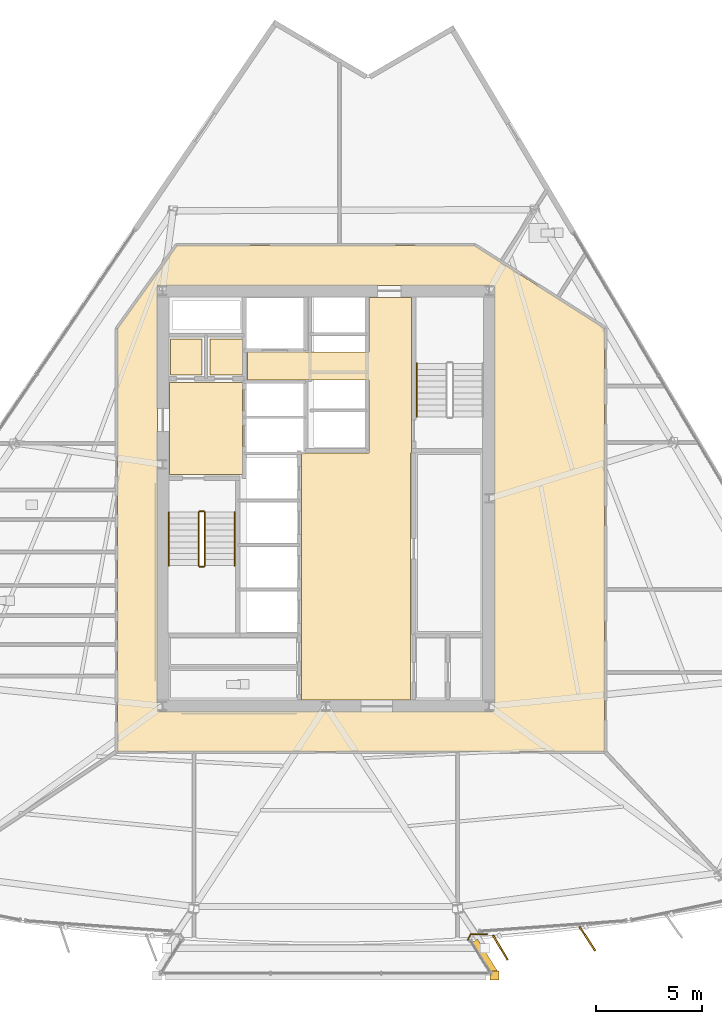
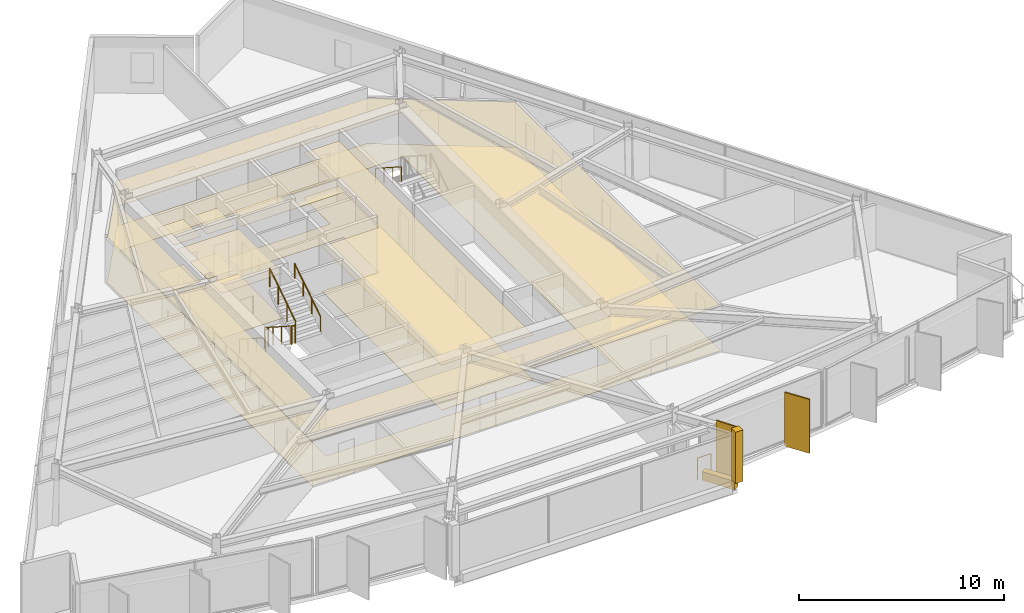
# One storey, part 12 of 15: 12 coverings, 8 railings, 2 shading devices.
"""IFC4 building model written with IfcOpenShell, lengths in metres."""

from ifc_helpers import new_model, si_unit, direction, frame, origin, origin_2d, place, context, subcontext, project, spatial, polyline, rectangle, circle, outline, extrude, material, layer, layer_set, type_object, element, save


model = new_model("IFC4")

# Units and contexts
model_context = context("Model", 3, precision=1e-05, world=origin(), true_north=direction((0.0, 1.0)))
body_context = subcontext(model_context, "Body", "Model", "MODEL_VIEW")
ifc_project = project(units=[si_unit("LENGTHUNIT", "METRE"), si_unit("AREAUNIT", "SQUARE_METRE"), si_unit("VOLUMEUNIT", "CUBIC_METRE"), si_unit("PLANEANGLEUNIT", "RADIAN"), si_unit("MASSUNIT", "GRAM", prefix="KILO")], contexts=[model_context])

# Site, building, storey
site_placement = place(None, origin())
site = spatial("IfcSite", under=ifc_project, at=site_placement, CompositionType="ELEMENT")
building_placement = place(site_placement, origin())
building = spatial("IfcBuilding", under=site, at=building_placement, Name="Savorim Split Tower", CompositionType="ELEMENT")
storey_placement = place(building_placement, frame((0.0, 0.0, 114.89990234375)))
storey = spatial("IfcBuildingStorey", under=building, at=storey_placement, Name="L30", CompositionType="ELEMENT", Elevation=114.89990234375)

# Coverings
ifc_material_1 = material(Name="Mineral Fibre Acoustic Ceiling")
ifc_layer_1 = layer(ifc_material_1, 0.02490234375)
ifc_layer_set_1 = layer_set([ifc_layer_1], Name="COV-CEIL-25")
covering_type_1 = type_object("IfcCoveringType", Name="COV-CEIL-25", PredefinedType="CEILING", material=ifc_layer_set_1)
covering_1_placement = place(storey_placement, frame((0.0, 0.0, 2.670166015625)))
element("IfcCovering", 1, at=covering_1_placement, inside=storey, type_object=covering_type_1, Name="L30 Firefighting Lift Lobby Acoustic Ceiling", PredefinedType="CEILING", context=body_context, shape_type="SweptSolid", body=[
    extrude(outline(polyline([(-7.3798828125, 5.8701171875), (-7.3798828125, 1.530029296875), (-3.929931640625, 1.530029296875), (-3.929931640625, 5.8701171875), (-7.3798828125, 5.8701171875)])), origin(), (0.0, 0.0, 1.0), 0.02490234375),
])
covering_2_placement = place(storey_placement, frame((0.0, 0.0, 2.670166015625)))
element("IfcCovering", 2, at=covering_2_placement, inside=storey, type_object=covering_type_1, Name="L30 Electrical Riser Acoustic Ceiling", PredefinedType="CEILING", context=body_context, shape_type="SweptSolid", body=[
    extrude(outline(polyline([(-7.320068359375, 7.919921875), (-7.320068359375, 6.22998046875), (-5.830078125, 6.22998046875), (-5.830078125, 7.919921875), (-7.320068359375, 7.919921875)])), origin(), (0.0, 0.0, 1.0), 0.02490234375),
])
covering_3_placement = place(storey_placement, frame((0.0, 0.0, 2.670166015625)))
element("IfcCovering", 3, at=covering_3_placement, inside=storey, type_object=covering_type_1, Name="L30 Telecom Riser Acoustic Ceiling", PredefinedType="CEILING", context=body_context, shape_type="SweptSolid", body=[
    extrude(outline(polyline([(-5.469970703125, 7.919921875), (-5.469970703125, 6.22998046875), (-3.929931640625, 6.22998046875), (-3.929931640625, 7.919921875), (-5.469970703125, 7.919921875)])), origin(), (0.0, 0.0, 1.0), 0.02490234375),
])
covering_4_placement = place(storey_placement, frame((0.0, 0.0, 2.670166015625)))
element("IfcCovering", 4, at=covering_4_placement, inside=storey, type_object=covering_type_1, Name="L30 Lift Lobby Acoustic Ceiling", PredefinedType="CEILING", context=body_context, shape_type="SweptSolid", body=[
    extrude(outline(polyline([(2.050048828125, 2.550048828125), (-1.14990234375, 2.550048828125), (-1.14990234375, -9.10009765625), (4.0, -9.10009765625), (4.0, 2.550048828125), (4.050048828125, 2.550048828125), (4.050048828125, 5.97998046875), (4.050048828125, 7.300048828125), (4.050048828125, 9.8798828125), (2.050048828125, 9.8798828125), (2.050048828125, 7.300048828125), (-3.699951171875, 7.300048828125), (-3.699951171875, 5.97998046875), (2.050048828125, 5.97998046875), (2.050048828125, 2.550048828125)])), origin(), (0.0, 0.0, 1.0), 0.02490234375),
])
covering_5_placement = place(storey_placement, frame((0.0, 0.0, 2.670166015625)))
element("IfcCovering", 5, at=covering_5_placement, inside=storey, type_object=covering_type_1, Name="L30 Corridor Acoustic Ceiling", PredefinedType="CEILING", context=body_context, shape_type="SweptSolid", body=[
    extrude(outline(polyline([(7.009521484375, 12.3291015625), (7.004638671875, 12.329833984375), (7.0, 12.330078125), (-7.0, 12.330078125), (-7.004638671875, 12.329833984375), (-7.009521484375, 12.3291015625), (-7.013916015625, 12.327880859375), (-7.0185546875, 12.326416015625), (-7.022705078125, 12.324462890625), (-7.027099609375, 12.322021484375), (-7.03076171875, 12.3193359375), (-7.034423828125, 12.31640625), (-7.03759765625, 12.312744140625), (-7.04052734375, 12.30908203125), (-9.820556640625, 8.42919921875), (-9.823486328125, 8.4248046875), (-9.82568359375, 8.420166015625), (-9.82763671875, 8.415283203125), (-9.828857421875, 8.410400390625), (-9.82958984375, 8.4052734375), (-9.830078125, 8.39990234375), (-9.830078125, -11.47998046875), (-9.829833984375, -11.48486328125), (-9.8291015625, -11.48974609375), (-9.827880859375, -11.494384765625), (-9.826171875, -11.4990234375), (-9.82421875, -11.503662109375), (-9.821533203125, -11.5078125), (-9.818603515625, -11.51171875), (-9.8154296875, -11.515380859375), (-9.811767578125, -11.518798828125), (-9.807861328125, -11.521484375), (-9.8037109375, -11.524169921875), (-9.799072265625, -11.526123046875), (-9.79443359375, -11.52783203125), (-9.789794921875, -11.529052734375), (-9.784912109375, -11.52978515625), (-9.780029296875, -11.530029296875), (13.10009765625, -11.530029296875), (13.10498046875, -11.52978515625), (13.10986328125, -11.529052734375), (13.114501953125, -11.52783203125), (13.119140625, -11.526123046875), (13.12353515625, -11.524169921875), (13.127685546875, -11.521484375), (13.131591796875, -11.518798828125), (13.135498046875, -11.515380859375), (13.138671875, -11.51171875), (13.1416015625, -11.5078125), (13.14404296875, -11.503662109375), (13.146240234375, -11.4990234375), (13.147705078125, -11.494384765625), (13.14892578125, -11.48974609375), (13.14990234375, -11.48486328125), (13.14990234375, -11.47998046875), (13.14990234375, 8.39990234375), (13.149658203125, 8.405029296875), (13.14892578125, 8.409912109375), (13.147705078125, 8.414794921875), (13.14599609375, 8.41943359375), (13.143798828125, 8.424072265625), (13.14111328125, 8.42822265625), (13.13818359375, 8.432373046875), (13.134765625, 8.43603515625), (13.130859375, 8.439208984375), (13.126708984375, 8.442138671875), (7.02685546875, 12.322265625), (7.022705078125, 12.324462890625), (7.018310546875, 12.326416015625), (7.013916015625, 12.327880859375), (7.009521484375, 12.3291015625)]), holes=[polyline([(-7.949951171875, 10.449951171875), (-7.949951171875, -9.64990234375), (7.949951171875, -9.64990234375), (7.949951171875, 10.449951171875), (-7.949951171875, 10.449951171875)])]), origin(), (0.0, 0.0, 1.0), 0.02490234375),
])
ifc_material_2 = material(Name="Porcelain Stoneware Flooring", Category="masonry")
ifc_layer_2 = layer(ifc_material_2, 0.02001953125)
ifc_layer_set_2 = layer_set([ifc_layer_2], Name="COV-FLOR-20")
covering_type_2 = type_object("IfcCoveringType", Name="COV-FLOR-20", PredefinedType="FLOORING", material=ifc_layer_set_2)
covering_6_placement = place(storey_placement, origin())
element("IfcCovering", 6, at=covering_6_placement, inside=storey, type_object=covering_type_2, Name="L30 Firefighting Lift Lobby Porcelain Flooring", PredefinedType="FLOORING", context=body_context, shape_type="SweptSolid", body=[
    extrude(outline(polyline([(-7.3798828125, 5.8701171875), (-7.3798828125, 1.530029296875), (-3.929931640625, 1.530029296875), (-3.929931640625, 5.8701171875), (-7.3798828125, 5.8701171875)])), origin(), (0.0, 0.0, 1.0), 0.02001953125),
])
covering_7_placement = place(storey_placement, origin())
element("IfcCovering", 7, at=covering_7_placement, inside=storey, type_object=covering_type_2, Name="L30 Electrical Riser Porcelain Flooring", PredefinedType="FLOORING", context=body_context, shape_type="SweptSolid", body=[
    extrude(outline(polyline([(-7.320068359375, 7.919921875), (-7.320068359375, 6.22998046875), (-5.830078125, 6.22998046875), (-5.830078125, 7.919921875), (-7.320068359375, 7.919921875)])), origin(), (0.0, 0.0, 1.0), 0.02001953125),
])
covering_8_placement = place(storey_placement, origin())
element("IfcCovering", 8, at=covering_8_placement, inside=storey, type_object=covering_type_2, Name="L30 Telecom Riser Porcelain Flooring", PredefinedType="FLOORING", context=body_context, shape_type="SweptSolid", body=[
    extrude(outline(polyline([(-5.469970703125, 7.919921875), (-5.469970703125, 6.22998046875), (-3.929931640625, 6.22998046875), (-3.929931640625, 7.919921875), (-5.469970703125, 7.919921875)])), origin(), (0.0, 0.0, 1.0), 0.02001953125),
])
covering_9_placement = place(storey_placement, origin())
element("IfcCovering", 9, at=covering_9_placement, inside=storey, type_object=covering_type_2, Name="L30 Lift Lobby Porcelain Flooring", PredefinedType="FLOORING", context=body_context, shape_type="SweptSolid", body=[
    extrude(outline(polyline([(2.050048828125, 2.550048828125), (-1.14990234375, 2.550048828125), (-1.14990234375, -9.10009765625), (4.0, -9.10009765625), (4.0, 2.550048828125), (4.050048828125, 2.550048828125), (4.050048828125, 5.97998046875), (4.050048828125, 7.300048828125), (4.050048828125, 9.8798828125), (2.050048828125, 9.8798828125), (2.050048828125, 7.300048828125), (-3.699951171875, 7.300048828125), (-3.699951171875, 5.97998046875), (2.050048828125, 5.97998046875), (2.050048828125, 2.550048828125)])), origin(), (0.0, 0.0, 1.0), 0.02001953125),
])
covering_10_placement = place(storey_placement, origin())
element("IfcCovering", 10, at=covering_10_placement, inside=storey, type_object=covering_type_2, Name="L30 Corridor Porcelain Flooring", PredefinedType="FLOORING", context=body_context, shape_type="SweptSolid", body=[
    extrude(outline(polyline([(7.009521484375, 12.3291015625), (7.004638671875, 12.329833984375), (7.0, 12.330078125), (-7.0, 12.330078125), (-7.004638671875, 12.329833984375), (-7.009521484375, 12.3291015625), (-7.013916015625, 12.327880859375), (-7.0185546875, 12.326416015625), (-7.022705078125, 12.324462890625), (-7.027099609375, 12.322021484375), (-7.03076171875, 12.3193359375), (-7.034423828125, 12.31640625), (-7.03759765625, 12.312744140625), (-7.04052734375, 12.30908203125), (-9.820556640625, 8.42919921875), (-9.823486328125, 8.4248046875), (-9.82568359375, 8.420166015625), (-9.82763671875, 8.415283203125), (-9.828857421875, 8.410400390625), (-9.82958984375, 8.4052734375), (-9.830078125, 8.39990234375), (-9.830078125, -11.47998046875), (-9.829833984375, -11.48486328125), (-9.8291015625, -11.48974609375), (-9.827880859375, -11.494384765625), (-9.826171875, -11.4990234375), (-9.82421875, -11.503662109375), (-9.821533203125, -11.5078125), (-9.818603515625, -11.51171875), (-9.8154296875, -11.515380859375), (-9.811767578125, -11.518798828125), (-9.807861328125, -11.521484375), (-9.8037109375, -11.524169921875), (-9.799072265625, -11.526123046875), (-9.79443359375, -11.52783203125), (-9.789794921875, -11.529052734375), (-9.784912109375, -11.52978515625), (-9.780029296875, -11.530029296875), (13.10009765625, -11.530029296875), (13.10498046875, -11.52978515625), (13.10986328125, -11.529052734375), (13.114501953125, -11.52783203125), (13.119140625, -11.526123046875), (13.12353515625, -11.524169921875), (13.127685546875, -11.521484375), (13.131591796875, -11.518798828125), (13.135498046875, -11.515380859375), (13.138671875, -11.51171875), (13.1416015625, -11.5078125), (13.14404296875, -11.503662109375), (13.146240234375, -11.4990234375), (13.147705078125, -11.494384765625), (13.14892578125, -11.48974609375), (13.14990234375, -11.48486328125), (13.14990234375, -11.47998046875), (13.14990234375, 8.39990234375), (13.149658203125, 8.405029296875), (13.14892578125, 8.409912109375), (13.147705078125, 8.414794921875), (13.14599609375, 8.41943359375), (13.143798828125, 8.424072265625), (13.14111328125, 8.42822265625), (13.13818359375, 8.432373046875), (13.134765625, 8.43603515625), (13.130859375, 8.439208984375), (13.126708984375, 8.442138671875), (7.02685546875, 12.322265625), (7.022705078125, 12.324462890625), (7.018310546875, 12.326416015625), (7.013916015625, 12.327880859375), (7.009521484375, 12.3291015625)]), holes=[polyline([(-7.949951171875, 10.449951171875), (-7.949951171875, -9.64990234375), (7.949951171875, -9.64990234375), (7.949951171875, 10.449951171875), (-7.949951171875, 10.449951171875)])]), origin(), (0.0, 0.0, 1.0), 0.02001953125),
])
ifc_material_3 = material(Name="White Porcelain Architectural Cladding")
ifc_layer_3 = layer(ifc_material_3, 0.139892578125)
ifc_layer_set_3 = layer_set([ifc_layer_3], Name="COV-FRM-WHITE")
covering_type_3 = type_object("IfcCoveringType", Name="COV-FRM-WHITE", PredefinedType="CLADDING", material=ifc_layer_set_3)
covering_11_placement = place(storey_placement, frame((0.0, 0.0, 0.010009765625)))
element("IfcCovering", 11, at=covering_11_placement, inside=storey, type_object=covering_type_3, Name="L30 Cantilevered Lounge White Lower Frame Band E", PredefinedType="CLADDING", context=body_context, shape_type="SweptSolid", body=[
    extrude(outline(polyline([(8.11083984375, -21.914794921875), (7.154296875, -20.389892578125), (6.8662109375, -20.57080078125), (7.82275390625, -22.095458984375), (8.11083984375, -21.914794921875)])), origin(), (0.0, 0.0, 1.0), 0.510009765625),
])
covering_12_placement = place(storey_placement, frame((0.0, 0.0, 0.5400390625)))
element("IfcCovering", 12, at=covering_12_placement, inside=storey, type_object=covering_type_3, Name="L30 Cantilevered Lounge White Frame Corner Post 2", PredefinedType="CLADDING", context=body_context, shape_type="SweptSolid", body=[
    extrude(outline(polyline([(7.757080078125, -22.3095703125), (8.177001953125, -22.3095703125), (8.177001953125, -21.889404296875), (7.757080078125, -21.889404296875), (7.757080078125, -22.3095703125)])), origin(), (0.0, 0.0, 1.0), 3.050048828125),
])

# Railings
ifc_material_4 = material(Name="Galvanised Painted Steel Balustrade", Category="steel")
railing_type_1 = type_object("IfcRailingType", Name="RLG-BAL-1100", PredefinedType="BALUSTRADE", material=ifc_material_4)
railing_1_placement = place(storey_placement, frame((6.6982421875, -20.424560546875, 0.0)))
element("IfcRailing", 13, at=railing_1_placement, inside=storey, type_object=railing_type_1, Name="L30 Cantilevered Lounge East Edge Closure Guard", PredefinedType="BALUSTRADE", context=body_context, shape_type="SweptSolid", body=[
    extrude(circle(Radius=0.02392578125, at=origin_2d()), frame((0.0, 0.0, 1.076171875), z_axis=(0.464364723977, 0.885644061193, 0.0), x_axis=(-0.885644061193, 0.464364723977, 0.0)), (0.0, 0.0, 1.0), 0.305908203125),
    extrude(circle(Radius=0.02392578125, at=origin_2d()), frame((0.14208984375, 0.27099609375, 1.076171875), z_axis=(1.0, 0.0, 0.0), x_axis=(0.0, 1.0, 0.0)), (0.0, 0.0, 1.0), 0.780029296875),
    extrude(circle(Radius=0.02099609375, at=origin_2d()), origin(), (0.0, 0.0, 1.0), 1.052001953125),
    extrude(circle(Radius=0.02099609375, at=origin_2d()), frame((0.14208984375, 0.27099609375, 0.0)), (0.0, 0.0, 1.0), 1.052001953125),
    extrude(circle(Radius=0.02099609375, at=origin_2d()), frame((0.922119140625, 0.27099609375, 0.0)), (0.0, 0.0, 1.0), 1.052001953125),
])
railing_type_2 = type_object("IfcRailingType", Name="RLG-HR-900", PredefinedType="HANDRAIL", material=ifc_material_4)
railing_2_placement = place(storey_placement, frame((-7.39990234375, -0.25, 0.18017578125)))
element("IfcRailing", 14, at=railing_2_placement, inside=storey, type_object=railing_type_2, Name="L30 ST-1 stair handrail 1", PredefinedType="HANDRAIL", context=body_context, shape_type="SweptSolid", body=[
    extrude(circle(Radius=0.02392578125, at=origin_2d()), frame((0.0, 0.0, 0.8759765625), z_axis=(0.0, -0.841199657755, 0.540724639528), x_axis=(1.0, 0.0, 0.0)), (0.0, 0.0, 1.0), 2.995849609375),
    extrude(circle(Radius=0.02099609375, at=origin_2d()), origin(), (0.0, 0.0, 1.0), 0.851806640625),
    extrude(circle(Radius=0.02099609375, at=origin_2d()), frame((0.0, -0.840087890625, 0.5400390625)), (0.0, 0.0, 1.0), 0.851806640625),
    extrude(circle(Radius=0.02099609375, at=origin_2d()), frame((0.0, -1.679931640625, 1.079833984375)), (0.0, 0.0, 1.0), 0.851806640625),
    extrude(circle(Radius=0.02099609375, at=origin_2d()), frame((0.0, -2.52001953125, 1.619873046875)), (0.0, 0.0, 1.0), 0.851806640625),
])
railing_3_placement = place(storey_placement, frame((-4.300048828125, -2.77001953125, 1.97998046875)))
element("IfcRailing", 15, at=railing_3_placement, inside=storey, type_object=railing_type_2, Name="L30 ST-1 stair handrail 2", PredefinedType="HANDRAIL", context=body_context, shape_type="SweptSolid", body=[
    extrude(circle(Radius=0.02392578125, at=origin_2d()), frame((0.0, 0.0, 0.8759765625), z_axis=(0.0, 0.841162588446, 0.540782303519), x_axis=(-1.0, 0.0, 0.0)), (0.0, 0.0, 1.0), 2.995849609375),
    extrude(circle(Radius=0.02099609375, at=origin_2d()), origin(), (0.0, 0.0, 1.0), 0.851806640625),
    extrude(circle(Radius=0.02099609375, at=origin_2d()), frame((0.0, 0.840087890625, 0.5400390625)), (0.0, 0.0, 1.0), 0.851806640625),
    extrude(circle(Radius=0.02099609375, at=origin_2d()), frame((0.0, 1.679931640625, 1.080078125)), (0.0, 0.0, 1.0), 0.851806640625),
    extrude(circle(Radius=0.02099609375, at=origin_2d()), frame((0.0, 2.52001953125, 1.6201171875)), (0.0, 0.0, 1.0), 0.851806640625),
])
railing_4_placement = place(storey_placement, frame((4.300048828125, 6.77001953125, 1.97998046875)))
element("IfcRailing", 16, at=railing_4_placement, inside=storey, type_object=railing_type_2, Name="L30 ST-2 stair handrail 2", PredefinedType="HANDRAIL", context=body_context, shape_type="SweptSolid", body=[
    extrude(circle(Radius=0.02392578125, at=origin_2d()), frame((0.0, 0.0, 0.8759765625), z_axis=(0.0, -0.841162588446, 0.540782303519), x_axis=(1.0, 0.0, 0.0)), (0.0, 0.0, 1.0), 2.995849609375),
    extrude(circle(Radius=0.02099609375, at=origin_2d()), origin(), (0.0, 0.0, 1.0), 0.851806640625),
    extrude(circle(Radius=0.02099609375, at=origin_2d()), frame((0.0, -0.840087890625, 0.5400390625)), (0.0, 0.0, 1.0), 0.851806640625),
    extrude(circle(Radius=0.02099609375, at=origin_2d()), frame((0.0, -1.679931640625, 1.080078125)), (0.0, 0.0, 1.0), 0.851806640625),
    extrude(circle(Radius=0.02099609375, at=origin_2d()), frame((0.0, -2.52001953125, 1.6201171875)), (0.0, 0.0, 1.0), 0.851806640625),
])
railing_type_3 = type_object("IfcRailingType", Name="RLG-STG-1100", PredefinedType="BALUSTRADE", material=ifc_material_4)
railing_5_placement = place(storey_placement, frame((-6.0, -0.25, 0.18017578125)))
element("IfcRailing", 17, at=railing_5_placement, inside=storey, type_object=railing_type_3, Name="L30 ST-1 stair guard 1", PredefinedType="BALUSTRADE", context=body_context, shape_type="SweptSolid", body=[
    extrude(circle(Radius=0.02392578125, at=origin_2d()), frame((0.0, 0.0, 1.076171875), z_axis=(0.0, -0.841199657755, 0.540724639528), x_axis=(1.0, 0.0, 0.0)), (0.0, 0.0, 1.0), 2.995849609375),
    extrude(circle(Radius=0.02099609375, at=origin_2d()), origin(), (0.0, 0.0, 1.0), 1.052001953125),
    extrude(circle(Radius=0.02099609375, at=origin_2d()), frame((0.0, -0.840087890625, 0.5400390625)), (0.0, 0.0, 1.0), 1.052001953125),
    extrude(circle(Radius=0.02099609375, at=origin_2d()), frame((0.0, -1.679931640625, 1.079833984375)), (0.0, 0.0, 1.0), 1.052001953125),
    extrude(circle(Radius=0.02099609375, at=origin_2d()), frame((0.0, -2.52001953125, 1.619873046875)), (0.0, 0.0, 1.0), 1.052001953125),
])
railing_6_placement = place(storey_placement, frame((-5.949951171875, -2.820068359375, 1.800048828125)))
element("IfcRailing", 18, at=railing_6_placement, inside=storey, type_object=railing_type_3, Name="L30 ST-1 stair guard 2", PredefinedType="BALUSTRADE", context=body_context, shape_type="SweptSolid", body=[
    extrude(circle(Radius=0.02392578125, at=origin_2d()), frame((0.0, 0.0, 1.076171875), z_axis=(1.0, 0.0, 0.0), x_axis=(0.0, 1.0, 0.0)), (0.0, 0.0, 1.0), 0.199951171875),
    extrude(circle(Radius=0.02099609375, at=origin_2d()), origin(), (0.0, 0.0, 1.0), 1.052001953125),
    extrude(circle(Radius=0.02099609375, at=origin_2d()), frame((0.199951171875, 0.0, 0.0)), (0.0, 0.0, 1.0), 1.052001953125),
])
railing_7_placement = place(storey_placement, frame((-5.699951171875, -2.77001953125, 1.97998046875)))
element("IfcRailing", 19, at=railing_7_placement, inside=storey, type_object=railing_type_3, Name="L30 ST-1 stair guard 3", PredefinedType="BALUSTRADE", context=body_context, shape_type="SweptSolid", body=[
    extrude(circle(Radius=0.02392578125, at=origin_2d()), frame((0.0, 0.0, 1.076171875), z_axis=(0.0, 0.841162588446, 0.540782303519), x_axis=(-1.0, 0.0, 0.0)), (0.0, 0.0, 1.0), 2.995849609375),
    extrude(circle(Radius=0.02099609375, at=origin_2d()), origin(), (0.0, 0.0, 1.0), 1.052001953125),
    extrude(circle(Radius=0.02099609375, at=origin_2d()), frame((0.0, 0.840087890625, 0.5400390625)), (0.0, 0.0, 1.0), 1.052001953125),
    extrude(circle(Radius=0.02099609375, at=origin_2d()), frame((0.0, 1.679931640625, 1.080078125)), (0.0, 0.0, 1.0), 1.052001953125),
    extrude(circle(Radius=0.02099609375, at=origin_2d()), frame((0.0, 2.52001953125, 1.6201171875)), (0.0, 0.0, 1.0), 1.052001953125),
])
railing_8_placement = place(storey_placement, frame((-5.949951171875, -0.199951171875, 0.0)))
element("IfcRailing", 20, at=railing_8_placement, inside=storey, type_object=railing_type_3, Name="L30 ST-1 stair guard 4", PredefinedType="BALUSTRADE", context=body_context, shape_type="SweptSolid", body=[
    extrude(circle(Radius=0.02392578125, at=origin_2d()), frame((0.0, 0.0, 1.076171875), z_axis=(1.0, 0.0, 0.0), x_axis=(0.0, 1.0, 0.0)), (0.0, 0.0, 1.0), 0.199951171875),
    extrude(circle(Radius=0.02099609375, at=origin_2d()), origin(), (0.0, 0.0, 1.0), 1.052001953125),
    extrude(circle(Radius=0.02099609375, at=origin_2d()), frame((0.199951171875, 0.0, 0.0)), (0.0, 0.0, 1.0), 1.052001953125),
])

# Shading devices
ifc_material_5 = material(Name="Terracotta Ceramic-Coated Aluminium Fin", Category="masonry")
shading_device_type = type_object("IfcShadingDeviceType", Name="SHD-FIN-1360", PredefinedType="USERDEFINED", material=ifc_material_5)
for number, where, z_axis, x_axis, name in (
    (21, (8.235595703125, -20.7900390625, -0.19970703125), (0.0, 0.0, 1.0), (0.510391336723, -0.859942255851, 0.0), "L30 Sawtooth Shading Fin 09"),
    (22, (12.3359375, -20.368896484375, -0.19970703125), (0.0, 0.0, 1.0), (0.545148321708, -0.838339613366, 0.0), "L30 Sawtooth Shading Fin 10"),
):
    element("IfcShadingDevice", number, at=place(storey_placement, frame(where, z_axis=z_axis, x_axis=x_axis)), inside=storey, type_object=shading_device_type, Name=name, ObjectType="FIN", PredefinedType="USERDEFINED", context=body_context, shape_type="SweptSolid", body=[
        extrude(rectangle(XDim=1.360107421875, YDim=0.080078125, at=origin_2d()), origin(), (0.0, 0.0, 1.0), 3.199951171875),
    ])

save(model, "model.ifc")
